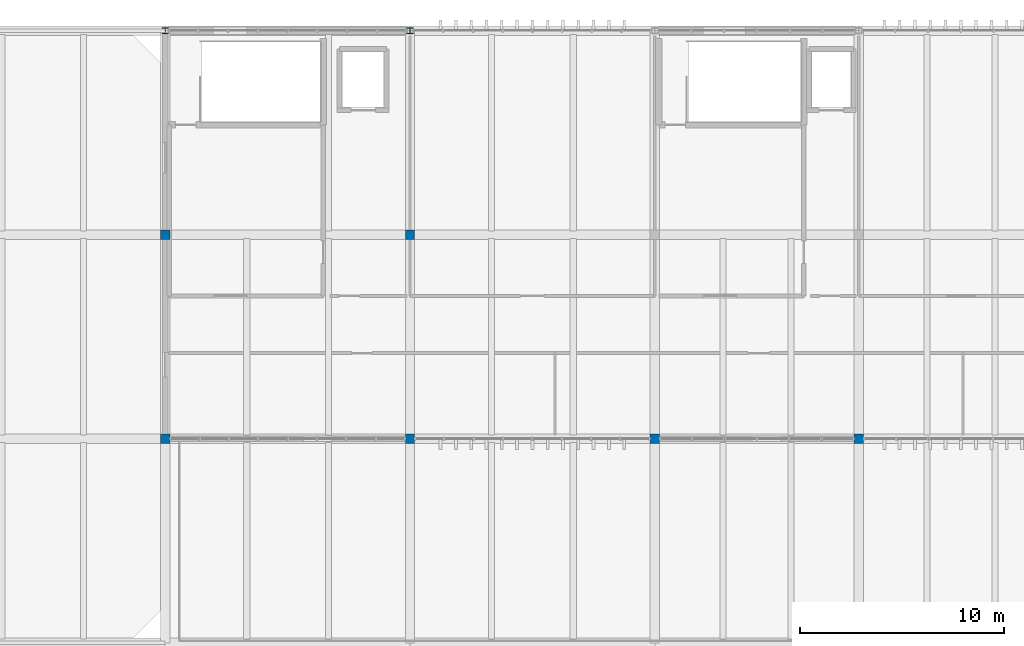
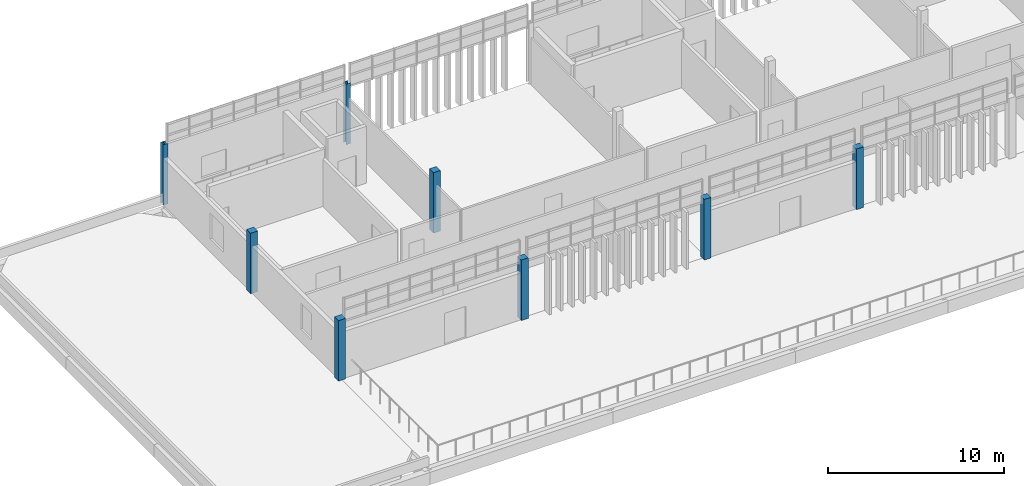
# One storey, part 1 of 36: 8 columns.
"""IFC4 building model written with IfcOpenShell, lengths in metres."""

from ifc_helpers import new_model, si_unit, direction, frame, origin, origin_2d, place, context, subcontext, project, spatial, rectangle, i_section, extrude, material, material_profile, profile_set, type_object, element, save


model = new_model("IFC4")

# Units and contexts
model_context = context("Model", 3, precision=1e-05, world=origin(), true_north=direction((0.0, 1.0)))
body_context = subcontext(model_context, "Body", "Model", "MODEL_VIEW")
ifc_project = project(units=[si_unit("LENGTHUNIT", "METRE"), si_unit("AREAUNIT", "SQUARE_METRE"), si_unit("VOLUMEUNIT", "CUBIC_METRE"), si_unit("PLANEANGLEUNIT", "RADIAN"), si_unit("MASSUNIT", "GRAM", prefix="KILO")], contexts=[model_context])

# Site, building, storey
site_placement = place(None, origin())
site = spatial("IfcSite", under=ifc_project, at=site_placement, CompositionType="ELEMENT")
building_placement = place(site_placement, origin())
building = spatial("IfcBuilding", under=site, at=building_placement, Name="Mersad Railyard Sports Hall", CompositionType="ELEMENT")
storey_placement = place(building_placement, frame((0.0, 0.0, 21.60009765625)))
storey = spatial("IfcBuildingStorey", under=building, at=storey_placement, Name="L05", CompositionType="ELEMENT", Elevation=21.60009765625)

# Columns
ifc_material_1 = material(Name="Concrete C40/50", Category="concrete")
ifc_material_profile_1 = material_profile(ifc_material_1, rectangle(XDim=0.449951171875, YDim=0.449951171875, at=origin_2d()), Name="RC 450x450")
ifc_profile_set_1 = profile_set([ifc_material_profile_1], Name="Concrete C40/50")
column_type_1 = type_object("IfcColumnType", Name="STR-COL-C06", PredefinedType="COLUMN", material=ifc_profile_set_1)
for number, where, z_axis, x_axis, name in (
    (1, (67.0, 95.0, 0.0), (0.0, 0.0, 1.0), (1.0, 0.0, 0.0), "Column C06 L05 (67.0,95.0)"),
    (2, (67.0, 105.0, 0.0), (0.0, 0.0, 1.0), (1.0, 0.0, 0.0), "Column C06 L05 (67.0,105.0)"),
    (3, (79.0, 95.0, 0.0), (0.0, 0.0, 1.0), (1.0, 0.0, 0.0), "Column C06 L05 (79.0,95.0)"),
    (4, (79.0, 105.0, 0.0), (0.0, 0.0, 1.0), (1.0, 0.0, 0.0), "Column C06 L05 (79.0,105.0)"),
    (5, (91.0, 95.0, 0.0), (0.0, 0.0, 1.0), (1.0, 0.0, 0.0), "Column C06 L05 (91.0,95.0)"),
    (6, (101.0, 95.0, 0.0), (0.0, 0.0, 1.0), (1.0, 0.0, 0.0), "Column C06 L05 (101.0,95.0)"),
):
    element("IfcColumn", number, at=place(storey_placement, frame(where, z_axis=z_axis, x_axis=x_axis)), inside=storey, type_object=column_type_1, Name=name, PredefinedType="COLUMN", context=body_context, shape_type="SweptSolid", body=[
        extrude(rectangle(XDim=0.449951171875, YDim=0.449951171875, at=origin_2d()), origin(), (0.0, 0.0, 1.0), 4.199951171875),
    ])
ifc_material_2 = material(Name="Steel S355", Category="steel")
ifc_material_profile_2 = material_profile(ifc_material_2, i_section(OverallWidth=0.300048828125, OverallDepth=0.300048828125, WebThickness=0.010986328125, FlangeThickness=0.01904296875, at=origin_2d()), Name="HEB 300")
ifc_profile_set_2 = profile_set([ifc_material_profile_2], Name="Steel S355")
column_type_2 = type_object("IfcColumnType", Name="STR-COL-C10", PredefinedType="COLUMN", material=ifc_profile_set_2)
for number, where, z_axis, x_axis, name in (
    (7, (67.0, 115.0, 0.0), (0.0, 0.0, 1.0), (1.0, 0.0, 0.0), "Column C10 L05 (67.0,115.0)"),
    (8, (79.0, 115.0, 0.0), (0.0, 0.0, 1.0), (1.0, 0.0, 0.0), "Column C10 L05 (79.0,115.0)"),
):
    element("IfcColumn", number, at=place(storey_placement, frame(where, z_axis=z_axis, x_axis=x_axis)), inside=storey, type_object=column_type_2, Name=name, PredefinedType="COLUMN", context=body_context, shape_type="SweptSolid", body=[
        extrude(i_section(OverallWidth=0.300048828125, OverallDepth=0.300048828125, WebThickness=0.010986328125, FlangeThickness=0.01904296875, at=origin_2d()), origin(), (0.0, 0.0, 1.0), 4.199951171875),
    ])

save(model, "model.ifc")
